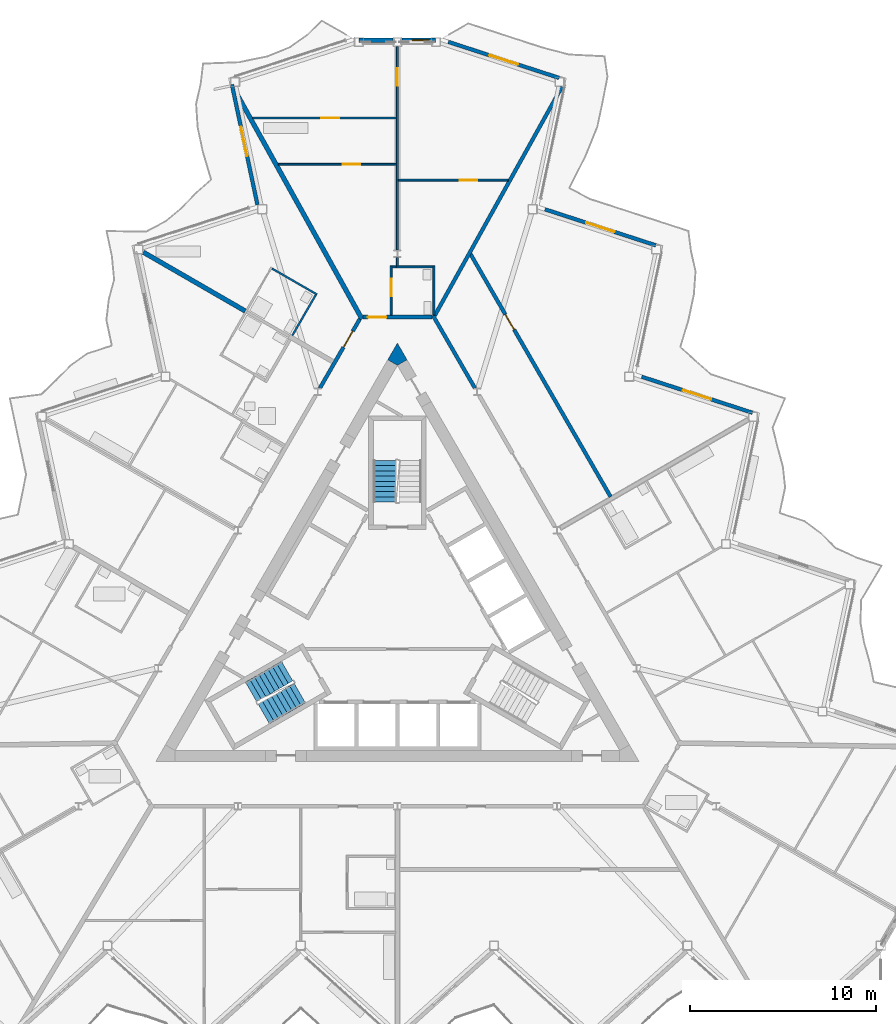
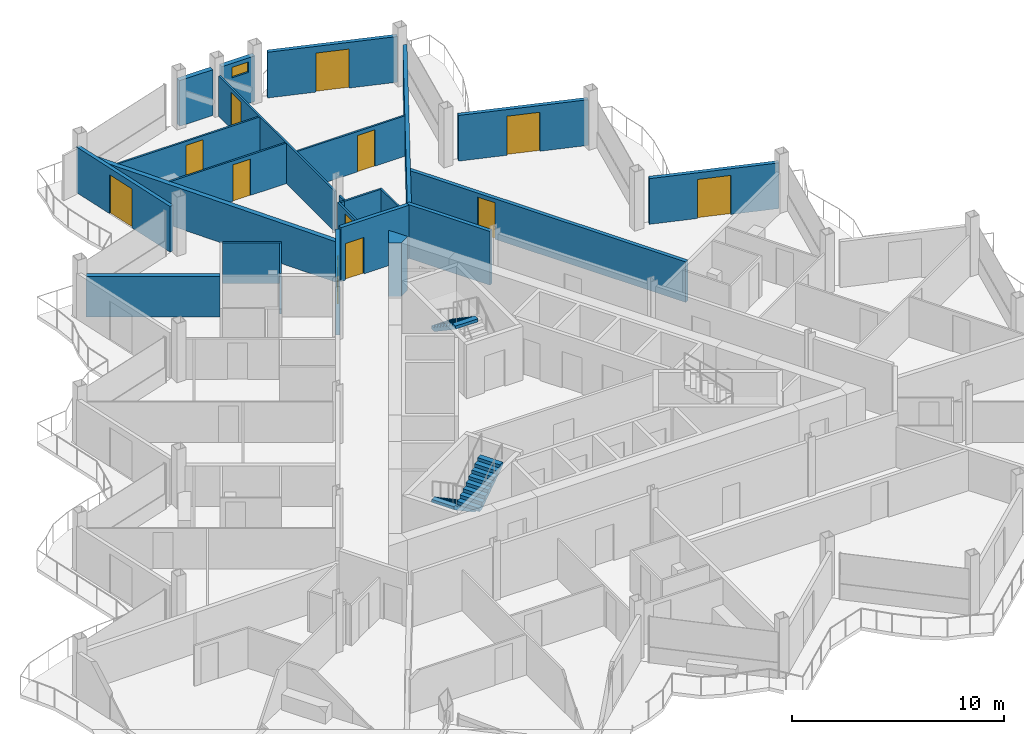
# One storey, part 17 of 26: 25 walls, 12 doors, 3 stair flights, 1 window, 13 openings, 2 elements without a shape of their own.
"""IFC4 building model written with IfcOpenShell, lengths in metres."""

import ifcopenshell
import ifcopenshell.guid

model = None  # the IFC model being written
_history = None  # IfcOwnerHistory: only IFC2X3 demands one
_inside = {}  # id of a spatial element -> (the spatial element, [elements in it])
_under = {}  # id of a project, library or spatial element -> (it, [spatial elements below it])
_declared = {}  # id of a project -> (the project, [libraries it declares])
_typed = {}  # id of a type object -> (the type object, [elements of that type])
_made_of = {}  # id of a material, layer set ... -> (it, [elements and type objects made of it])


def new_model(schema):
    """Start an empty IFC model of exactly this schema.

    Asked for "IFC4X3", IfcOpenShell would pick the latest addendum, in which some entities
    have other attributes; the version numbers below select the first issue.
    IFC2X3 requires an IfcOwnerHistory on every rooted entity: one is made here for all.
    """
    global model, _history
    if schema == "IFC4X3":
        model = ifcopenshell.file(schema_version=(4, 3, 0, 0))
    else:
        model = ifcopenshell.file(schema=schema)
    _inside.clear()
    _under.clear()
    _declared.clear()
    _typed.clear()
    _made_of.clear()
    _history = None
    if model.schema == "IFC2X3":
        org = make("IfcOrganization", Name="unknown")
        user = make(
            "IfcPersonAndOrganization",
            ThePerson=make("IfcPerson", FamilyName="unknown"),
            TheOrganization=org,
        )
        app = make(
            "IfcApplication",
            ApplicationDeveloper=org,
            Version="unknown",
            ApplicationFullName="unknown",
            ApplicationIdentifier="unknown",
        )
        _history = make(
            "IfcOwnerHistory",
            OwningUser=user,
            OwningApplication=app,
            ChangeAction="ADDED",
            CreationDate=0,
        )
    return model


def make(cls, **values):
    """One entity of the class cls with the attributes given. An attribute that is None is left unset."""
    return model.create_entity(
        cls, **{name: value for name, value in values.items() if value is not None}
    )


def rooted(cls, **values):
    """An entity with a GlobalId (a new one), such as an element, a storey or a relation."""
    return make(cls, GlobalId=ifcopenshell.guid.new(), OwnerHistory=_history, **values)


def si_unit(unit_type, name, prefix=None):
    """IfcSIUnit, for example si_unit("LENGTHUNIT", "METRE", prefix="MILLI")."""
    return make("IfcSIUnit", UnitType=unit_type, Prefix=prefix, Name=name)


def assignment(units):
    """IfcUnitAssignment: the units of a project."""
    return None if units is None else make("IfcUnitAssignment", Units=units)


def point(xyz):
    """IfcCartesianPoint."""
    return None if xyz is None else make("IfcCartesianPoint", Coordinates=xyz)


def direction(xyz):
    """IfcDirection."""
    return None if xyz is None else make("IfcDirection", DirectionRatios=xyz)


def frame(location, z_axis=None, x_axis=None):
    """IfcAxis2Placement3D, a coordinate frame: its origin and axes. An axis left out is left unset."""
    return make(
        "IfcAxis2Placement3D",
        Location=point(location),
        Axis=direction(z_axis),
        RefDirection=direction(x_axis),
    )


def frame_2d(location, x_axis=None):
    """IfcAxis2Placement2D, a coordinate frame in the plane: its origin and x axis."""
    return make(
        "IfcAxis2Placement2D", Location=point(location), RefDirection=direction(x_axis)
    )


def origin():
    """The frame at (0, 0, 0) with its axes left unset."""
    return frame((0.0, 0.0, 0.0))


def place(relative_to, where):
    """IfcLocalPlacement: puts the frame where relative to a parent placement (None: the world)."""
    return make(
        "IfcLocalPlacement", PlacementRelTo=relative_to, RelativePlacement=where
    )


def context(
    kind, dimensions, precision=None, world=None, true_north=None, identifier=None
):
    """IfcGeometricRepresentationContext, for example the 3D "Model" context."""
    return make(
        "IfcGeometricRepresentationContext",
        ContextIdentifier=identifier,
        ContextType=kind,
        CoordinateSpaceDimension=dimensions,
        Precision=precision,
        WorldCoordinateSystem=world,
        TrueNorth=true_north,
    )


def subcontext(parent, identifier, kind, view, scale=None):
    """IfcGeometricRepresentationSubContext, for example "Body" below "Model"."""
    return make(
        "IfcGeometricRepresentationSubContext",
        ContextIdentifier=identifier,
        ContextType=kind,
        ParentContext=parent,
        TargetScale=scale,
        TargetView=view,
    )


def project(units=None, contexts=None):
    """IfcProject with its units and contexts."""
    return rooted(
        "IfcProject",
        Name="project",
        RepresentationContexts=contexts,
        UnitsInContext=assignment(units),
    )


def spatial(cls, under=None, at=None, **own):
    """A site, building, storey or space (cls), placed at a placement, below another one or the project."""
    s = rooted(cls, ObjectPlacement=at, **own)
    if under is not None:
        _under.setdefault(under.id(), (under, []))[1].append(s)
    return s


def polyline(points):
    """IfcPolyline through the points."""
    return make("IfcPolyline", Points=[point(p) for p in points])


def profile(cls, at=None, kind="AREA", **sizes):
    """A parametric profile (cls). Its sizes go by their IFC names, for example OverallWidth=200.0."""
    return make(cls, ProfileType=kind, Position=at, **sizes)


def rectangle(**sizes):
    """IfcRectangleProfileDef."""
    return profile("IfcRectangleProfileDef", **sizes)


def outline(outer, holes=None, kind="AREA"):
    """IfcArbitraryClosedProfileDef: a profile drawn as a closed curve; with holes, ...WithVoids."""
    if holes is None:
        return make("IfcArbitraryClosedProfileDef", ProfileType=kind, OuterCurve=outer)
    return make(
        "IfcArbitraryProfileDefWithVoids",
        ProfileType=kind,
        OuterCurve=outer,
        InnerCurves=holes,
    )


def extrude(swept, where, along, depth):
    """IfcExtrudedAreaSolid: the profile swept, set in the frame where, extruded along a direction by depth."""
    return make(
        "IfcExtrudedAreaSolid",
        SweptArea=swept,
        Position=where,
        ExtrudedDirection=direction(along),
        Depth=depth,
    )


def shape(context_of_items, identifier, shape_type, items):
    """IfcShapeRepresentation: the items that make up one representation, for example the "Body"."""
    return make(
        "IfcShapeRepresentation",
        ContextOfItems=context_of_items,
        RepresentationIdentifier=identifier,
        RepresentationType=shape_type,
        Items=items,
    )


def material(Name=None, Category=None):
    """IfcMaterial."""
    return make("IfcMaterial", Name=Name, Category=Category)


def layer(
    of_material, thickness, ventilated=None, Name=None, Category=None, Priority=None
):
    """IfcMaterialLayer: one layer of a wall or slab, of a material (None: an air gap)."""
    return make(
        "IfcMaterialLayer",
        Material=of_material,
        LayerThickness=thickness,
        IsVentilated=ventilated,
        Name=Name,
        Category=Category,
        Priority=Priority,
    )


def layer_set(layers, Name=None):
    """IfcMaterialLayerSet."""
    return make("IfcMaterialLayerSet", MaterialLayers=layers, LayerSetName=Name)


def made_of(thing, what):
    """Note that an element or type object is made of a material, layer set ...; save() writes the relation."""
    if what is not None:
        _made_of.setdefault(what.id(), (what, []))[1].append(thing)
    return thing


def type_object(cls, material=None, **own):
    """A type object (cls), such as IfcWallType, which elements share."""
    return made_of(rooted(cls, **own), material)


def element(
    cls,
    number,
    at=None,
    inside=None,
    cuts=None,
    type_object=None,
    material=None,
    context=None,
    identifier="Body",
    shape_type=None,
    held_by="IfcProductDefinitionShape",
    body=None,
    shapes=None,
    **own,
):
    """One element of the class cls, such as IfcWall. Its Tag is "e" and its number.

    at: its placement. inside: the storey or other place that contains it. cuts: it is an
    opening in that element (IfcRelVoidsElement). A single representation is given by context,
    identifier, shape_type and body (its items); several are given by shapes. held_by: the class
    of the entity that holds the representations. save() writes the other relations.
    """
    e = rooted(cls, Tag="e%d" % number, ObjectPlacement=at, **own)
    if body is not None:
        shapes = [shape(context, identifier, shape_type, body)]
    if shapes is not None:
        e.Representation = make(held_by, Representations=shapes)
    if inside is not None:
        _inside.setdefault(inside.id(), (inside, []))[1].append(e)
    if cuts is not None:
        rooted(
            "IfcRelVoidsElement", RelatingBuildingElement=cuts, RelatedOpeningElement=e
        )
    if type_object is not None:
        _typed.setdefault(type_object.id(), (type_object, []))[1].append(e)
    return made_of(e, material)


def fill(opening, filler):
    """IfcRelFillsElement: the door or window that sits in an opening."""
    return rooted(
        "IfcRelFillsElement",
        RelatingOpeningElement=opening,
        RelatedBuildingElement=filler,
    )


def aggregate(whole, parts):
    """IfcRelAggregates: a whole, such as a stair, and the parts it consists of."""
    return rooted("IfcRelAggregates", RelatingObject=whole, RelatedObjects=parts)


def save(model, path):
    """Write the relations noted so far, then the file.

    IfcRelAggregates (storeys below a building ...), IfcRelContainedInSpatialStructure (elements
    in a storey), IfcRelDefinesByType, IfcRelAssociatesMaterial and IfcRelDeclares: one each for
    every whole, place, type object, material and project.
    """
    for whole, parts in _under.values():
        aggregate(whole, parts)
    for where, things in _inside.values():
        rooted(
            "IfcRelContainedInSpatialStructure",
            RelatedElements=things,
            RelatingStructure=where,
        )
    for kind, things in _typed.values():
        rooted("IfcRelDefinesByType", RelatedObjects=things, RelatingType=kind)
    for what, things in _made_of.values():
        rooted("IfcRelAssociatesMaterial", RelatedObjects=things, RelatingMaterial=what)
    for by, libraries in _declared.values():
        rooted("IfcRelDeclares", RelatingContext=by, RelatedDefinitions=libraries)
    model.write(path)


model = new_model("IFC4")

# Units and contexts
model_context = context("Model", 3, precision=1e-05, world=origin(), true_north=direction((0.0, 1.0)))
body_context = subcontext(model_context, "Body", "Model", "MODEL_VIEW")
ifc_project = project(units=[si_unit("LENGTHUNIT", "METRE"), si_unit("AREAUNIT", "SQUARE_METRE"), si_unit("VOLUMEUNIT", "CUBIC_METRE"), si_unit("PLANEANGLEUNIT", "RADIAN"), si_unit("MASSUNIT", "GRAM", prefix="KILO")], contexts=[model_context])

# Site, building, storey
site_placement = place(None, origin())
site = spatial("IfcSite", under=ifc_project, at=site_placement, CompositionType="ELEMENT")
building_placement = place(site_placement, origin())
building = spatial("IfcBuilding", under=site, at=building_placement, Name="Cormorant Prow Tower", CompositionType="ELEMENT")
storey_placement = place(building_placement, frame((0.0, 0.0, 381.39990234375)))
storey = spatial("IfcBuildingStorey", under=building, at=storey_placement, Name="L86", CompositionType="ELEMENT", Elevation=381.39990234375)

# Walls
ifc_material_1 = material(Name="Concrete 8000 psi", Category="concrete")
ifc_layer_1 = layer(ifc_material_1, 0.60009765625)
ifc_layer_set_1 = layer_set([ifc_layer_1], Name="Concrete 8000 psi")
wall_type_1 = type_object("IfcWallType", Name="Core shear wall 600", PredefinedType="SHEAR", material=ifc_layer_set_1)
wall_1_placement = place(storey_placement, origin())
element("IfcWall", 1, at=wall_1_placement, inside=storey, type_object=wall_type_1, Name="Core wall corner", PredefinedType="SHEAR", context=body_context, shape_type="SweptSolid", body=[
    extrude(outline(polyline([(-0.51953125, 14.111083984375), (0.0, 15.010986328125), (0.51953125, 14.111083984375), (0.0, 13.81103515625), (-0.51953125, 14.111083984375)])), origin(), (0.0, 0.0, 1.0), 3.10009765625),
])
ifc_material_2 = material(Name="Gypsum board corridor wall")
ifc_layer_2 = layer(ifc_material_2, 0.199951171875)
ifc_layer_set_2 = layer_set([ifc_layer_2], Name="Gypsum board corridor wall")
wall_type_2 = type_object("IfcWallType", Name="Corridor wall 200", PredefinedType="PARTITIONING", material=ifc_layer_set_2)
wall_2_placement = place(storey_placement, frame((1.9130859375, 16.497802734375, 0.0), z_axis=(0.0, 0.0, 1.0), x_axis=(0.499974648164, -0.866040040179, 0.0)))
element("IfcWall", 2, at=wall_2_placement, inside=storey, type_object=wall_type_2, Name="Corridor wall", PredefinedType="PARTITIONING", context=body_context, shape_type="SweptSolid", body=[
    extrude(rectangle(XDim=4.525146484375, YDim=0.199951171875, at=frame_2d((2.2626953125, 0.0))), origin(), (0.0, 0.0, 1.0), 3.10009765625),
])

# Wall, opening, door
wall_3_placement = place(storey_placement, frame((-4.175537109375, 12.578857421875, 0.0), z_axis=(0.0, 0.0, 1.0), x_axis=(0.500004215162, 0.866022970146, 0.0)))
wall_3 = element("IfcWall", 3, at=wall_3_placement, inside=storey, type_object=wall_type_2, Name="Corridor wall", PredefinedType="PARTITIONING", context=body_context, shape_type="SweptSolid", body=[
    extrude(rectangle(XDim=4.30029296875, YDim=0.199951171875, at=frame_2d((2.150146484375, 0.0))), origin(), (0.0, 0.0, 1.0), 3.10009765625),
])
opening_1_placement = place(wall_3_placement, frame((2.550048828125, 0.0, 0.0)))
opening_1 = element("IfcOpeningElement", 4, at=opening_1_placement, cuts=wall_3, Name="Opening L86-F31", PredefinedType="OPENING", context=body_context, shape_type="SweptSolid", body=[
    extrude(rectangle(XDim=1.0, YDim=2.10009765625, at=frame_2d((0.5, 1.050048828125))), frame((0.0, 0.10986328125, 0.0), z_axis=(0.0, -1.0, 0.0), x_axis=(1.0, 0.0, 0.0)), (0.0, 0.0, 1.0), 0.219970703125),
])
ifc_material_3 = material(Name="Timber door leaf", Category="wood")
door_type_1 = type_object("IfcDoorType", Name="Flat or room entrance door 1000x2100", OperationType="NOTDEFINED", PredefinedType="DOOR", material=ifc_material_3)
door_1_placement = place(opening_1_placement, origin())
door_1 = element("IfcDoor", 5, at=door_1_placement, inside=storey, type_object=door_type_1, Name="Studio living, kitchen and sleeping room door", OperationType="SINGLE_SWING_LEFT", OverallHeight=2.10009765625, OverallWidth=1.0, PredefinedType="DOOR", context=body_context, shape_type="SweptSolid", body=[
    extrude(rectangle(XDim=1.0, YDim=2.10009765625, at=frame_2d((0.5, 1.050048828125))), frame((0.0, 0.02490234375, 0.0), z_axis=(0.0, -1.0, 0.0), x_axis=(1.0, 0.0, 0.0)), (0.0, 0.0, 1.0), 0.050048828125),
])
fill(opening_1, door_1)

wall_4_placement = place(storey_placement, frame((-1.837890625, 16.4111328125, 0.0), z_axis=(0.0, 0.0, 1.0), x_axis=(1.0, 0.0, 0.0)))
wall_4 = element("IfcWall", 6, at=wall_4_placement, inside=storey, type_object=wall_type_2, Name="Corridor wall", PredefinedType="PARTITIONING", context=body_context, shape_type="SweptSolid", body=[
    extrude(rectangle(XDim=3.700927734375, YDim=0.199951171875, at=frame_2d((1.8505859375, 0.0))), origin(), (0.0, 0.0, 1.0), 3.10009765625),
])
opening_2_placement = place(wall_4_placement, frame((0.25, 0.0, 0.0)))
opening_2 = element("IfcOpeningElement", 7, at=opening_2_placement, cuts=wall_4, Name="Opening L86-F25", PredefinedType="OPENING", context=body_context, shape_type="SweptSolid", body=[
    extrude(rectangle(XDim=1.0, YDim=2.10009765625, at=frame_2d((0.5, 1.050048828125))), frame((0.0, 0.10986328125, 0.0), z_axis=(0.0, -1.0, 0.0), x_axis=(1.0, 0.0, 0.0)), (0.0, 0.0, 1.0), 0.219970703125),
])
door_2_placement = place(opening_2_placement, origin())
door_2 = element("IfcDoor", 8, at=door_2_placement, inside=storey, type_object=door_type_1, Name="Living room door", OperationType="SINGLE_SWING_RIGHT", OverallHeight=2.10009765625, OverallWidth=1.0, PredefinedType="DOOR", context=body_context, shape_type="SweptSolid", body=[
    extrude(rectangle(XDim=1.0, YDim=2.10009765625, at=frame_2d((0.5, 1.050048828125))), frame((0.0, 0.02490234375, 0.0), z_axis=(0.0, -1.0, 0.0), x_axis=(1.0, 0.0, 0.0)), (0.0, 0.0, 1.0), 0.050048828125),
])
fill(opening_2, door_2)

ifc_material_4 = material(Name="Gypsum board demising wall")
ifc_layer_3 = layer(ifc_material_4, 0.199951171875)
ifc_layer_set_3 = layer_set([ifc_layer_3], Name="Gypsum board demising wall")
wall_type_3 = type_object("IfcWallType", Name="Demising wall 200", PredefinedType="PARTITIONING", material=ifc_layer_set_3)
wall_5_placement = place(storey_placement, frame((3.926025390625, 19.81103515625, 0.0), z_axis=(0.0, 0.0, 1.0), x_axis=(0.500001082559, -0.866024778768, 0.0)))
wall_5 = element("IfcWall", 9, at=wall_5_placement, inside=storey, type_object=wall_type_3, Name="Demising wall", PredefinedType="PARTITIONING", context=body_context, shape_type="SweptSolid", body=[
    extrude(rectangle(XDim=15.09375, YDim=0.199951171875, at=frame_2d((7.546875, 0.0))), origin(), (0.0, 0.0, 1.0), 2.330078125),
])
opening_3_placement = place(wall_5_placement, frame((3.76123046875, 0.0, 0.0)))
opening_3 = element("IfcOpeningElement", 10, at=opening_3_placement, cuts=wall_5, Name="Opening L86-F24", PredefinedType="OPENING", context=body_context, shape_type="SweptSolid", body=[
    extrude(rectangle(XDim=0.949951171875, YDim=2.10009765625, at=frame_2d((0.47509765625, 1.050048828125))), frame((0.0, 0.10986328125, 0.0), z_axis=(0.0, -1.0, 0.0), x_axis=(1.0, 0.0, 0.0)), (0.0, 0.0, 1.0), 0.219970703125),
])
ifc_material_5 = material(Name="Timber door leaf", Category="wood")
door_type_2 = type_object("IfcDoorType", Name="Store door 950x2100", OperationType="NOTDEFINED", PredefinedType="DOOR", material=ifc_material_5)
door_3_placement = place(opening_3_placement, origin())
door_3 = element("IfcDoor", 11, at=door_3_placement, inside=storey, type_object=door_type_2, Name="Bicycle store door", OperationType="SINGLE_SWING_LEFT", OverallHeight=2.10009765625, OverallWidth=0.949951171875, PredefinedType="DOOR", context=body_context, shape_type="SweptSolid", body=[
    extrude(rectangle(XDim=0.949951171875, YDim=2.10009765625, at=frame_2d((0.47509765625, 1.050048828125))), frame((0.0, 0.02490234375, 0.0), z_axis=(0.0, -1.0, 0.0), x_axis=(1.0, 0.0, 0.0)), (0.0, 0.0, 1.0), 0.050048828125),
])
fill(opening_3, door_3)

# Wall
wall_6_placement = place(storey_placement, frame((2.01171875, 16.498291015625, 0.0), z_axis=(0.0, 0.0, 1.0), x_axis=(0.485991996179, 0.873963259897, 0.0)))
element("IfcWall", 12, at=wall_6_placement, inside=storey, type_object=wall_type_3, Name="Demising wall", PredefinedType="PARTITIONING", context=body_context, shape_type="SweptSolid", body=[
    extrude(rectangle(XDim=14.072509765625, YDim=0.199951171875, at=frame_2d((7.0361328125, 0.0))), origin(), (0.0, 0.0, 1.0), 2.330078125),
])

# Wall, opening, door
ifc_material_6 = material(Name="Gypsum board partition")
ifc_layer_4 = layer(ifc_material_6, 0.10009765625)
ifc_layer_set_4 = layer_set([ifc_layer_4], Name="Gypsum board partition")
wall_type_4 = type_object("IfcWallType", Name="Internal partition 100", PredefinedType="PARTITIONING", material=ifc_layer_set_4)
wall_7_placement = place(storey_placement, frame((0.0, 20.008056640625, 0.0), z_axis=(0.0, 0.0, 1.0), x_axis=(0.0, 1.0, 0.0)))
wall_7 = element("IfcWall", 13, at=wall_7_placement, inside=storey, type_object=wall_type_4, Name="Internal partition", PredefinedType="PARTITIONING", context=body_context, shape_type="SweptSolid", body=[
    extrude(rectangle(XDim=10.951416015625, YDim=0.10009765625, at=frame_2d((5.4755859375, 0.0))), origin(), (0.0, 0.0, 1.0), 2.330078125),
])
opening_4_placement = place(wall_7_placement, frame((8.851318359375, 0.0, 0.0)))
opening_4 = element("IfcOpeningElement", 14, at=opening_4_placement, cuts=wall_7, Name="Opening L86-F29", PredefinedType="OPENING", context=body_context, shape_type="SweptSolid", body=[
    extrude(rectangle(XDim=0.949951171875, YDim=2.10009765625, at=frame_2d((0.47509765625, 1.050048828125))), frame((0.0, 0.06005859375, 0.0), z_axis=(0.0, -1.0, 0.0), x_axis=(1.0, 0.0, 0.0)), (0.0, 0.0, 1.0), 0.1201171875),
])
ifc_material_7 = material(Name="Timber door leaf", Category="wood")
door_type_3 = type_object("IfcDoorType", Name="Bathroom door 950x2100", OperationType="NOTDEFINED", PredefinedType="DOOR", material=ifc_material_7)
door_4_placement = place(opening_4_placement, origin())
door_4 = element("IfcDoor", 15, at=door_4_placement, inside=storey, type_object=door_type_3, Name="Dining room door", OperationType="SINGLE_SWING_RIGHT", OverallHeight=2.10009765625, OverallWidth=0.949951171875, PredefinedType="DOOR", context=body_context, shape_type="SweptSolid", body=[
    extrude(rectangle(XDim=0.949951171875, YDim=2.10009765625, at=frame_2d((0.47509765625, 1.050048828125))), frame((0.0, 0.02490234375, 0.0), z_axis=(0.0, -1.0, 0.0), x_axis=(1.0, 0.0, 0.0)), (0.0, 0.0, 1.0), 0.050048828125),
])
fill(opening_4, door_4)

wall_8_placement = place(storey_placement, frame((-7.793212890625, 27.1201171875, 0.0), z_axis=(0.0, 0.0, 1.0), x_axis=(1.0, 0.0, 0.0)))
wall_8 = element("IfcWall", 16, at=wall_8_placement, inside=storey, type_object=wall_type_4, Name="Internal partition", PredefinedType="PARTITIONING", context=body_context, shape_type="SweptSolid", body=[
    extrude(rectangle(XDim=7.7431640625, YDim=0.10009765625, at=frame_2d((3.87158203125, 0.0))), origin(), (0.0, 0.0, 1.0), 2.330078125),
])
opening_5_placement = place(wall_8_placement, frame((3.701171875, 0.0, 0.0)))
opening_5 = element("IfcOpeningElement", 17, at=opening_5_placement, cuts=wall_8, Name="Opening L86-F28", PredefinedType="OPENING", context=body_context, shape_type="SweptSolid", body=[
    extrude(rectangle(XDim=0.949951171875, YDim=2.10009765625, at=frame_2d((0.47509765625, 1.050048828125))), frame((0.0, 0.06005859375, 0.0), z_axis=(0.0, -1.0, 0.0), x_axis=(1.0, 0.0, 0.0)), (0.0, 0.0, 1.0), 0.1201171875),
])
door_5_placement = place(opening_5_placement, origin())
door_5 = element("IfcDoor", 18, at=door_5_placement, inside=storey, type_object=door_type_3, Name="Kitchen door", OperationType="SINGLE_SWING_RIGHT", OverallHeight=2.10009765625, OverallWidth=0.949951171875, PredefinedType="DOOR", context=body_context, shape_type="SweptSolid", body=[
    extrude(rectangle(XDim=0.949951171875, YDim=2.10009765625, at=frame_2d((0.47509765625, 1.050048828125))), frame((0.0, 0.02490234375, 0.0), z_axis=(0.0, -1.0, 0.0), x_axis=(1.0, 0.0, 0.0)), (0.0, 0.0, 1.0), 0.050048828125),
])
fill(opening_5, door_5)

wall_9_placement = place(storey_placement, frame((-6.407958984375, 24.629150390625, 0.0), z_axis=(0.0, 0.0, 1.0), x_axis=(1.0, 0.0, 0.0)))
wall_9 = element("IfcWall", 19, at=wall_9_placement, inside=storey, type_object=wall_type_4, Name="Internal partition", PredefinedType="PARTITIONING", context=body_context, shape_type="SweptSolid", body=[
    extrude(rectangle(XDim=6.35791015625, YDim=0.10009765625, at=frame_2d((3.178955078125, 0.0))), origin(), (0.0, 0.0, 1.0), 2.330078125),
])
opening_6_placement = place(wall_9_placement, frame((3.455322265625, 0.0, 0.0)))
opening_6 = element("IfcOpeningElement", 20, at=opening_6_placement, cuts=wall_9, Name="Opening L86-F27", PredefinedType="OPENING", context=body_context, shape_type="SweptSolid", body=[
    extrude(rectangle(XDim=0.949951171875, YDim=2.10009765625, at=frame_2d((0.47509765625, 1.050048828125))), frame((0.0, 0.06005859375, 0.0), z_axis=(0.0, -1.0, 0.0), x_axis=(1.0, 0.0, 0.0)), (0.0, 0.0, 1.0), 0.1201171875),
])
door_6_placement = place(opening_6_placement, origin())
door_6 = element("IfcDoor", 21, at=door_6_placement, inside=storey, type_object=door_type_3, Name="Living room door", OperationType="SINGLE_SWING_LEFT", OverallHeight=2.10009765625, OverallWidth=0.949951171875, PredefinedType="DOOR", context=body_context, shape_type="SweptSolid", body=[
    extrude(rectangle(XDim=0.949951171875, YDim=2.10009765625, at=frame_2d((0.47509765625, 1.050048828125))), frame((0.0, 0.02490234375, 0.0), z_axis=(0.0, -1.0, 0.0), x_axis=(1.0, 0.0, 0.0)), (0.0, 0.0, 1.0), 0.050048828125),
])
fill(opening_6, door_6)

wall_10_placement = place(storey_placement, frame((0.050048828125, 23.7783203125, 0.0), z_axis=(0.0, 0.0, 1.0), x_axis=(1.0, 0.0, 0.0)))
wall_10 = element("IfcWall", 22, at=wall_10_placement, inside=storey, type_object=wall_type_4, Name="Internal partition", PredefinedType="PARTITIONING", context=body_context, shape_type="SweptSolid", body=[
    extrude(rectangle(XDim=5.909912109375, YDim=0.10009765625, at=frame_2d((2.955078125, 0.0))), origin(), (0.0, 0.0, 1.0), 2.330078125),
])
opening_7_placement = place(wall_10_placement, frame((3.291015625, 0.0, 0.0)))
opening_7 = element("IfcOpeningElement", 23, at=opening_7_placement, cuts=wall_10, Name="Opening L86-F30", PredefinedType="OPENING", context=body_context, shape_type="SweptSolid", body=[
    extrude(rectangle(XDim=0.949951171875, YDim=2.10009765625, at=frame_2d((0.47509765625, 1.050048828125))), frame((0.0, 0.06005859375, 0.0), z_axis=(0.0, -1.0, 0.0), x_axis=(1.0, 0.0, 0.0)), (0.0, 0.0, 1.0), 0.1201171875),
])
door_7_placement = place(opening_7_placement, origin())
door_7 = element("IfcDoor", 24, at=door_7_placement, inside=storey, type_object=door_type_3, Name="Principal bedroom door", OperationType="SINGLE_SWING_LEFT", OverallHeight=2.10009765625, OverallWidth=0.949951171875, PredefinedType="DOOR", context=body_context, shape_type="SweptSolid", body=[
    extrude(rectangle(XDim=0.949951171875, YDim=2.10009765625, at=frame_2d((0.47509765625, 1.050048828125))), frame((0.0, 0.02490234375, 0.0), z_axis=(0.0, -1.0, 0.0), x_axis=(1.0, 0.0, 0.0)), (0.0, 0.0, 1.0), 0.050048828125),
])
fill(opening_7, door_7)

# Walls
wall_11_placement = place(storey_placement, frame((-6.748291015625, 19.022705078125, 0.0), z_axis=(0.0, 0.0, 1.0), x_axis=(0.866034573852, -0.49998411664, 0.0)))
element("IfcWall", 25, at=wall_11_placement, inside=storey, type_object=wall_type_4, Name="Internal partition", PredefinedType="PARTITIONING", context=body_context, shape_type="SweptSolid", body=[
    extrude(rectangle(XDim=2.7998046875, YDim=0.10009765625, at=frame_2d((1.39990234375, 0.0))), origin(), (0.0, 0.0, 1.0), 2.330078125),
])
wall_12_placement = place(storey_placement, frame((-5.654296875, 15.417724609375, 0.0), z_axis=(0.0, 0.0, 1.0), x_axis=(0.500048846702, 0.865997200291, 0.0)))
element("IfcWall", 26, at=wall_12_placement, inside=storey, type_object=wall_type_4, Name="Internal partition", PredefinedType="PARTITIONING", context=body_context, shape_type="SweptSolid", body=[
    extrude(rectangle(XDim=2.525146484375, YDim=0.10009765625, at=frame_2d((1.2626953125, 0.0))), origin(), (0.0, 0.0, 1.0), 2.330078125),
])
wall_13_placement = place(storey_placement, frame((1.962890625, 16.510986328125, 0.0), z_axis=(0.0, 0.0, 1.0), x_axis=(0.0, 1.0, 0.0)))
element("IfcWall", 27, at=wall_13_placement, inside=storey, type_object=wall_type_4, Name="Internal partition", PredefinedType="PARTITIONING", context=body_context, shape_type="SweptSolid", body=[
    extrude(rectangle(XDim=2.650146484375, YDim=0.10009765625, at=frame_2d((1.3251953125, 0.0))), origin(), (0.0, 0.0, 1.0), 2.330078125),
])

# Wall, opening, door
wall_14_placement = place(storey_placement, frame((-0.3369140625, 16.510986328125, 0.0), z_axis=(0.0, 0.0, 1.0), x_axis=(0.0, 1.0, 0.0)))
wall_14 = element("IfcWall", 28, at=wall_14_placement, inside=storey, type_object=wall_type_4, Name="Internal partition", PredefinedType="PARTITIONING", context=body_context, shape_type="SweptSolid", body=[
    extrude(rectangle(XDim=2.649169921875, YDim=0.10009765625, at=frame_2d((1.32470703125, 0.0))), origin(), (0.0, 0.0, 1.0), 2.330078125),
])
opening_8_placement = place(wall_14_placement, frame((1.01318359375, 0.0, 0.0)))
opening_8 = element("IfcOpeningElement", 29, at=opening_8_placement, cuts=wall_14, Name="Opening L86-F26", PredefinedType="OPENING", context=body_context, shape_type="SweptSolid", body=[
    extrude(rectangle(XDim=0.949951171875, YDim=2.10009765625, at=frame_2d((0.47509765625, 1.050048828125))), frame((0.0, 0.06005859375, 0.0), z_axis=(0.0, -1.0, 0.0), x_axis=(1.0, 0.0, 0.0)), (0.0, 0.0, 1.0), 0.1201171875),
])
door_8_placement = place(opening_8_placement, origin())
door_8 = element("IfcDoor", 30, at=door_8_placement, inside=storey, type_object=door_type_3, Name="Living room door", OperationType="SINGLE_SWING_RIGHT", OverallHeight=2.10009765625, OverallWidth=0.949951171875, PredefinedType="DOOR", context=body_context, shape_type="SweptSolid", body=[
    extrude(rectangle(XDim=0.949951171875, YDim=2.10009765625, at=frame_2d((0.47509765625, 1.050048828125))), frame((0.0, 0.02490234375, 0.0), z_axis=(0.0, -1.0, 0.0), x_axis=(1.0, 0.0, 0.0)), (0.0, 0.0, 1.0), 0.050048828125),
])
fill(opening_8, door_8)

# Walls
wall_15_placement = place(storey_placement, frame((-0.06005859375, 19.111083984375, 0.0), z_axis=(0.0, 0.0, 1.0), x_axis=(1.0, 0.0, 0.0)))
element("IfcWall", 31, at=wall_15_placement, inside=storey, type_object=wall_type_4, Name="Internal partition", PredefinedType="PARTITIONING", context=body_context, shape_type="SweptSolid", body=[
    extrude(rectangle(XDim=1.97314453125, YDim=0.10009765625, at=frame_2d((0.986572265625, 0.0))), origin(), (0.0, 0.0, 1.0), 2.330078125),
])
wall_16_placement = place(storey_placement, frame((0.0, 19.1611328125, 0.0), z_axis=(0.0, 0.0, 1.0), x_axis=(0.0, 1.0, 0.0)))
element("IfcWall", 32, at=wall_16_placement, inside=storey, type_object=wall_type_4, Name="Internal partition", PredefinedType="PARTITIONING", context=body_context, shape_type="SweptSolid", body=[
    extrude(rectangle(XDim=0.452880859375, YDim=0.10009765625, at=frame_2d((0.2265625, 0.0))), origin(), (0.0, 0.0, 1.0), 2.330078125),
])
wall_17_placement = place(storey_placement, frame((-0.287109375, 19.1103515625, 0.0), z_axis=(0.0, 0.0, 1.0), x_axis=(0.999994683407, 0.003260852229, 0.0)))
element("IfcWall", 33, at=wall_17_placement, inside=storey, type_object=wall_type_4, Name="Internal partition", PredefinedType="PARTITIONING", context=body_context, shape_type="SweptSolid", body=[
    extrude(rectangle(XDim=0.224609375, YDim=0.10009765625, at=frame_2d((0.1123046875, 0.0))), origin(), (0.0, 0.0, 1.0), 2.330078125),
])
ifc_material_8 = material(Name="Acoustic gypsum party wall")
ifc_layer_5 = layer(ifc_material_8, 0.25)
ifc_layer_set_5 = layer_set([ifc_layer_5], Name="Acoustic gypsum party wall")
wall_type_5 = type_object("IfcWallType", Name="Suite party wall 250", PredefinedType="PARTITIONING", material=ifc_layer_set_5)
wall_18_placement = place(storey_placement, frame((-8.68505859375, 28.4990234375, 0.0), z_axis=(0.0, 0.0, 1.0), x_axis=(0.486017177904, -0.873949256412, 0.0)))
element("IfcWall", 34, at=wall_18_placement, inside=storey, type_object=wall_type_5, Name="Suite party wall", PredefinedType="PARTITIONING", context=body_context, shape_type="SweptSolid", body=[
    extrude(rectangle(XDim=13.956298828125, YDim=0.25, at=frame_2d((6.97802734375, 0.0))), origin(), (0.0, 0.0, 1.0), 2.330078125),
])
wall_19_placement = place(storey_placement, frame((-13.668701171875, 19.900390625, 0.0), z_axis=(0.0, 0.0, 1.0), x_axis=(0.866032778651, -0.499987226139, 0.0)))
element("IfcWall", 35, at=wall_19_placement, inside=storey, type_object=wall_type_5, Name="Suite party wall", PredefinedType="PARTITIONING", context=body_context, shape_type="SweptSolid", body=[
    extrude(rectangle(XDim=6.332275390625, YDim=0.25, at=frame_2d((3.166015625, 0.0))), origin(), (0.0, 0.0, 1.0), 2.330078125),
])

# Wall, opening, window
ifc_material_9 = material(Name="Terracotta", Category="masonry")
ifc_layer_6 = layer(ifc_material_9, 0.25)
ifc_layer_set_6 = layer_set([ifc_layer_6], Name="Terracotta")
wall_type_6 = type_object("IfcWallType", Name="Terracotta bay wall 250", PredefinedType="SOLIDWALL", material=ifc_layer_set_6)
wall_20_placement = place(storey_placement, frame((2.0576171875, 31.29638671875, 0.0), z_axis=(0.0, 0.0, 1.0), x_axis=(-1.0, 0.0, 0.0)))
wall_20 = element("IfcWall", 36, at=wall_20_placement, inside=storey, type_object=wall_type_6, Name="Terracotta bay wall N00", PredefinedType="SOLIDWALL", context=body_context, shape_type="SweptSolid", body=[
    extrude(rectangle(XDim=1.8076171875, YDim=0.25, at=frame_2d((0.90380859375, 0.0))), origin(), (0.0, 0.0, 1.0), 2.634033203125),
])
opening_9_placement = place(wall_20_placement, frame((0.35009765625, 0.0, 1.800048828125)))
opening_9 = element("IfcOpeningElement", 37, at=opening_9_placement, cuts=wall_20, Name="Opening WN7", PredefinedType="OPENING", context=body_context, shape_type="SweptSolid", body=[
    extrude(rectangle(XDim=0.89990234375, YDim=0.60009765625, at=frame_2d((0.449951171875, 0.300048828125))), frame((0.0, 0.135009765625, 0.0), z_axis=(0.0, -1.0, 0.0), x_axis=(1.0, 0.0, 0.0)), (0.0, 0.0, 1.0), 0.27001953125),
])
ifc_material_10 = material(Name="Aluminium 6063-T6", Category="aluminium")
window_type = type_object("IfcWindowType", Name="Corner bay window 900x600", PartitioningType="SINGLE_PANEL", PredefinedType="WINDOW", material=ifc_material_10)
window_placement = place(opening_9_placement, origin())
window = element("IfcWindow", 38, at=window_placement, inside=storey, type_object=window_type, Name="Corner bay window N00", OverallHeight=0.60009765625, OverallWidth=0.89990234375, PartitioningType="SINGLE_PANEL", PredefinedType="WINDOW", context=body_context, shape_type="SweptSolid", body=[
    extrude(rectangle(XDim=0.89990234375, YDim=0.60009765625, at=frame_2d((0.449951171875, 0.300048828125))), frame((0.0, 0.030029296875, 0.0), z_axis=(0.0, -1.0, 0.0), x_axis=(1.0, 0.0, 0.0)), (0.0, 0.0, 1.0), 0.06005859375),
])
fill(opening_9, window)

# Wall
wall_21_placement = place(storey_placement, frame((-0.25, 31.29638671875, 0.0), z_axis=(0.0, 0.0, 1.0), x_axis=(-1.0, 0.0, 0.0)))
element("IfcWall", 39, at=wall_21_placement, inside=storey, type_object=wall_type_6, Name="Terracotta bay wall N01", PredefinedType="SOLIDWALL", context=body_context, shape_type="SweptSolid", body=[
    extrude(rectangle(XDim=1.8076171875, YDim=0.25, at=frame_2d((0.90380859375, 0.0))), origin(), (0.0, 0.0, 1.0), 2.634033203125),
])

# Wall, opening, door
ifc_material_11 = material(Name="Terracotta", Category="masonry")
ifc_layer_7 = layer(ifc_material_11, 0.199951171875)
ifc_layer_set_7 = layer_set([ifc_layer_7], Name="Terracotta")
wall_type_7 = type_object("IfcWallType", Name="Terracotta jamb wall 200", PredefinedType="SOLIDWALL", material=ifc_layer_set_7)
wall_22_placement = place(storey_placement, frame((19.099365234375, 11.263916015625, 0.0), z_axis=(0.0, 0.0, 1.0), x_axis=(-0.951056402988, 0.3090173431, 0.0)))
wall_22 = element("IfcWall", 40, at=wall_22_placement, inside=storey, type_object=wall_type_7, Name="Terracotta jamb wall ENE05", PredefinedType="SOLIDWALL", context=body_context, shape_type="SweptSolid", body=[
    extrude(rectangle(XDim=6.26513671875, YDim=0.199951171875, at=frame_2d((3.132568359375, 0.0))), origin(), (0.0, 0.0, 1.0), 2.634033203125),
])
opening_10_placement = place(wall_22_placement, frame((2.332763671875, 0.0, 0.0)))
opening_10 = element("IfcOpeningElement", 41, at=opening_10_placement, cuts=wall_22, Name="Opening ED86.08", PredefinedType="OPENING", context=body_context, shape_type="SweptSolid", body=[
    extrude(rectangle(XDim=1.60009765625, YDim=2.25, at=frame_2d((0.800048828125, 1.125))), frame((0.0, 0.10986328125, 0.0), z_axis=(0.0, -1.0, 0.0), x_axis=(1.0, 0.0, 0.0)), (0.0, 0.0, 1.0), 0.219970703125),
])
ifc_material_12 = material(Name="Aluminium 6063-T6", Category="aluminium")
door_type_4 = type_object("IfcDoorType", Name="Balcony door 1600x2250", OperationType="DOUBLE_DOOR_SINGLE_SWING", PredefinedType="DOOR", material=ifc_material_12)
door_9_placement = place(opening_10_placement, origin())
door_9 = element("IfcDoor", 42, at=door_9_placement, inside=storey, type_object=door_type_4, Name="Balcony door ENE05 ED86.08", OperationType="DOUBLE_DOOR_SINGLE_SWING", OverallHeight=2.25, OverallWidth=1.60009765625, PredefinedType="DOOR", context=body_context, shape_type="SweptSolid", body=[
    extrude(rectangle(XDim=1.60009765625, YDim=2.25, at=frame_2d((0.800048828125, 1.125))), frame((0.0, 0.02490234375, 0.0), z_axis=(0.0, -1.0, 0.0), x_axis=(1.0, 0.0, 0.0)), (0.0, 0.0, 1.0), 0.050048828125),
])
fill(opening_10, door_9)

wall_23_placement = place(storey_placement, frame((13.8994140625, 20.2705078125, 0.0), z_axis=(0.0, 0.0, 1.0), x_axis=(-0.951056402988, 0.3090173431, 0.0)))
wall_23 = element("IfcWall", 43, at=wall_23_placement, inside=storey, type_object=wall_type_7, Name="Terracotta jamb wall ENE07", PredefinedType="SOLIDWALL", context=body_context, shape_type="SweptSolid", body=[
    extrude(rectangle(XDim=6.26513671875, YDim=0.199951171875, at=frame_2d((3.132568359375, 0.0))), origin(), (0.0, 0.0, 1.0), 2.634033203125),
])
opening_11_placement = place(wall_23_placement, frame((2.332763671875, 0.0, 0.0)))
opening_11 = element("IfcOpeningElement", 44, at=opening_11_placement, cuts=wall_23, Name="Opening ED86.09", PredefinedType="OPENING", context=body_context, shape_type="SweptSolid", body=[
    extrude(rectangle(XDim=1.60009765625, YDim=2.25, at=frame_2d((0.800048828125, 1.125))), frame((0.0, 0.10986328125, 0.0), z_axis=(0.0, -1.0, 0.0), x_axis=(1.0, 0.0, 0.0)), (0.0, 0.0, 1.0), 0.219970703125),
])
door_10_placement = place(opening_11_placement, origin())
door_10 = element("IfcDoor", 45, at=door_10_placement, inside=storey, type_object=door_type_4, Name="Balcony door ENE07 ED86.09", OperationType="DOUBLE_DOOR_SINGLE_SWING", OverallHeight=2.25, OverallWidth=1.60009765625, PredefinedType="DOOR", context=body_context, shape_type="SweptSolid", body=[
    extrude(rectangle(XDim=1.60009765625, YDim=2.25, at=frame_2d((0.800048828125, 1.125))), frame((0.0, 0.02490234375, 0.0), z_axis=(0.0, -1.0, 0.0), x_axis=(1.0, 0.0, 0.0)), (0.0, 0.0, 1.0), 0.050048828125),
])
fill(opening_11, door_10)

wall_24_placement = place(storey_placement, frame((8.699462890625, 29.277099609375, 0.0), z_axis=(0.0, 0.0, 1.0), x_axis=(-0.951048671744, 0.309041136379, 0.0)))
wall_24 = element("IfcWall", 46, at=wall_24_placement, inside=storey, type_object=wall_type_7, Name="Terracotta jamb wall ENE09", PredefinedType="SOLIDWALL", context=body_context, shape_type="SweptSolid", body=[
    extrude(rectangle(XDim=6.265380859375, YDim=0.199951171875, at=frame_2d((3.1328125, 0.0))), origin(), (0.0, 0.0, 1.0), 2.634033203125),
])
opening_12_placement = place(wall_24_placement, frame((2.332763671875, 0.0, 0.0)))
opening_12 = element("IfcOpeningElement", 47, at=opening_12_placement, cuts=wall_24, Name="Opening ED86.10", PredefinedType="OPENING", context=body_context, shape_type="SweptSolid", body=[
    extrude(rectangle(XDim=1.60009765625, YDim=2.25, at=frame_2d((0.800048828125, 1.125))), frame((0.0, 0.10986328125, 0.0), z_axis=(0.0, -1.0, 0.0), x_axis=(1.0, 0.0, 0.0)), (0.0, 0.0, 1.0), 0.219970703125),
])
door_11_placement = place(opening_12_placement, origin())
door_11 = element("IfcDoor", 48, at=door_11_placement, inside=storey, type_object=door_type_4, Name="Balcony door ENE09 ED86.10", OperationType="DOUBLE_DOOR_SINGLE_SWING", OverallHeight=2.25, OverallWidth=1.60009765625, PredefinedType="DOOR", context=body_context, shape_type="SweptSolid", body=[
    extrude(rectangle(XDim=1.60009765625, YDim=2.25, at=frame_2d((0.800048828125, 1.125))), frame((0.0, 0.02490234375, 0.0), z_axis=(0.0, -1.0, 0.0), x_axis=(1.0, 0.0, 0.0)), (0.0, 0.0, 1.0), 0.050048828125),
])
fill(opening_12, door_11)

wall_25_placement = place(storey_placement, frame((-8.904541015625, 28.922119140625, 0.0), z_axis=(0.0, 0.0, 1.0), x_axis=(0.207917488951, -0.978146368285, 0.0)))
wall_25 = element("IfcWall", 49, at=wall_25_placement, inside=storey, type_object=wall_type_7, Name="Terracotta jamb wall WNW01", PredefinedType="SOLIDWALL", context=body_context, shape_type="SweptSolid", body=[
    extrude(rectangle(XDim=6.612060546875, YDim=0.199951171875, at=frame_2d((3.30615234375, 0.0))), origin(), (0.0, 0.0, 1.0), 2.634033203125),
])
opening_13_placement = place(wall_25_placement, frame((2.332763671875, 0.0, 0.0)))
opening_13 = element("IfcOpeningElement", 50, at=opening_13_placement, cuts=wall_25, Name="Opening ED86.11", PredefinedType="OPENING", context=body_context, shape_type="SweptSolid", body=[
    extrude(rectangle(XDim=1.60009765625, YDim=2.25, at=frame_2d((0.800048828125, 1.125))), frame((0.0, 0.10986328125, 0.0), z_axis=(0.0, -1.0, 0.0), x_axis=(1.0, 0.0, 0.0)), (0.0, 0.0, 1.0), 0.219970703125),
])
door_12_placement = place(opening_13_placement, origin())
door_12 = element("IfcDoor", 51, at=door_12_placement, inside=storey, type_object=door_type_4, Name="Balcony door WNW01 ED86.11", OperationType="DOUBLE_DOOR_SINGLE_SWING", OverallHeight=2.25, OverallWidth=1.60009765625, PredefinedType="DOOR", context=body_context, shape_type="SweptSolid", body=[
    extrude(rectangle(XDim=1.60009765625, YDim=2.25, at=frame_2d((0.800048828125, 1.125))), frame((0.0, 0.02490234375, 0.0), z_axis=(0.0, -1.0, 0.0), x_axis=(1.0, 0.0, 0.0)), (0.0, 0.0, 1.0), 0.050048828125),
])
fill(opening_13, door_12)

# Stair, stair flights
ifc_material_13 = material(Name="Exit stair 18 risers")
stair_type = type_object("IfcStairType", Name="Exit stair 18 risers", PredefinedType="HALF_TURN_STAIR", material=ifc_material_13)
stair_1_placement = place(storey_placement, origin())
stair_1 = element("IfcStair", 52, at=stair_1_placement, inside=storey, type_object=stair_type, Name="L86 Exit stair ST1", PredefinedType="HALF_TURN_STAIR")
ifc_material_14 = material(Name="Concrete 5000 psi", Category="concrete")
stair_flight_type = type_object("IfcStairFlightType", Name="Stair flight 1219", PredefinedType="STRAIGHT", material=ifc_material_14)
stair_flight_1_placement = place(storey_placement, frame((-5.93310546875, -2.635009765625, 0.0), z_axis=(0.0, 0.0, 1.0), x_axis=(-0.866025403784, -0.5, 0.0)))
stair_flight_1 = element("IfcStairFlight", 53, at=stair_flight_1_placement, type_object=stair_flight_type, Name="ST1 flight 1", NumberOfRisers=9, NumberOfTreads=8, PredefinedType="STRAIGHT", RiserHeight=0.188888889, TreadLength=0.28, context=body_context, shape_type="SweptSolid", body=[
    extrude(outline(polyline([(0.0, 0.0), (0.0, 0.18896484375), (0.280029296875, 0.18896484375), (0.280029296875, 0.377685546875), (0.56005859375, 0.377685546875), (0.56005859375, 0.566650390625), (0.840087890625, 0.566650390625), (0.840087890625, 0.755615234375), (1.1201171875, 0.755615234375), (1.1201171875, 0.9443359375), (1.39990234375, 0.9443359375), (1.39990234375, 1.13330078125), (1.679931640625, 1.13330078125), (1.679931640625, 1.322265625), (1.9599609375, 1.322265625), (1.9599609375, 1.51123046875), (2.239990234375, 1.51123046875), (2.239990234375, 1.699951171875), (2.239990234375, 1.330322265625), (0.26806640625, 0.0), (0.0, 0.0)])), frame((0.0, 0.609375, 0.0), z_axis=(0.0, -1.0, 0.0), x_axis=(1.0, 0.0, 0.0)), (0.0, 0.0, 1.0), 1.218994140625),
])
stair_flight_2_placement = place(storey_placement, frame((-7.1884765625, -4.940673828125, 1.7001953125), z_axis=(0.0, 0.0, 1.0), x_axis=(0.866025403784, 0.5, 0.0)))
stair_flight_2 = element("IfcStairFlight", 54, at=stair_flight_2_placement, type_object=stair_flight_type, Name="ST1 flight 2", NumberOfRisers=9, NumberOfTreads=8, PredefinedType="STRAIGHT", RiserHeight=0.188888889, TreadLength=0.28, context=body_context, shape_type="SweptSolid", body=[
    extrude(outline(polyline([(0.0, 0.0), (0.0, 0.18896484375), (0.280029296875, 0.18896484375), (0.280029296875, 0.377685546875), (0.56005859375, 0.377685546875), (0.56005859375, 0.566650390625), (0.840087890625, 0.566650390625), (0.840087890625, 0.755615234375), (1.1201171875, 0.755615234375), (1.1201171875, 0.9443359375), (1.39990234375, 0.9443359375), (1.39990234375, 1.13330078125), (1.679931640625, 1.13330078125), (1.679931640625, 1.322265625), (1.9599609375, 1.322265625), (1.9599609375, 1.51123046875), (2.239990234375, 1.51123046875), (2.239990234375, 1.699951171875), (2.239990234375, 1.330322265625), (0.26806640625, 0.0), (0.0, 0.0)])), frame((0.0, 0.609375, 0.0), z_axis=(0.0, -1.0, 0.0), x_axis=(1.0, 0.0, 0.0)), (0.0, 0.0, 1.0), 1.218994140625),
])
aggregate(stair_1, [stair_flight_1, stair_flight_2])

# Stair, stair flight
stair_2_placement = place(storey_placement, origin())
stair_2 = element("IfcStair", 55, at=stair_2_placement, inside=storey, type_object=stair_type, Name="L86 Exit stair ST3", PredefinedType="HALF_TURN_STAIR")
stair_flight_3_placement = place(storey_placement, frame((-0.6845703125, 8.69580078125, 1.7001953125), z_axis=(0.0, 0.0, 1.0), x_axis=(0.0, -1.0, 0.0)))
stair_flight_3 = element("IfcStairFlight", 56, at=stair_flight_3_placement, type_object=stair_flight_type, Name="ST3 flight 2", NumberOfRisers=9, NumberOfTreads=8, PredefinedType="STRAIGHT", RiserHeight=0.188888889, TreadLength=0.28, context=body_context, shape_type="SweptSolid", body=[
    extrude(outline(polyline([(0.0, 0.0), (0.0, 0.18896484375), (0.280029296875, 0.18896484375), (0.280029296875, 0.377685546875), (0.56005859375, 0.377685546875), (0.56005859375, 0.566650390625), (0.840087890625, 0.566650390625), (0.840087890625, 0.755615234375), (1.1201171875, 0.755615234375), (1.1201171875, 0.9443359375), (1.39990234375, 0.9443359375), (1.39990234375, 1.13330078125), (1.679931640625, 1.13330078125), (1.679931640625, 1.322265625), (1.9599609375, 1.322265625), (1.9599609375, 1.51123046875), (2.239990234375, 1.51123046875), (2.239990234375, 1.699951171875), (2.239990234375, 1.330322265625), (0.26806640625, 0.0), (0.0, 0.0)])), frame((0.0, 0.609375, 0.0), z_axis=(0.0, -1.0, 0.0), x_axis=(1.0, 0.0, 0.0)), (0.0, 0.0, 1.0), 1.218994140625),
])
aggregate(stair_2, [stair_flight_3])

save(model, "model.ifc")
